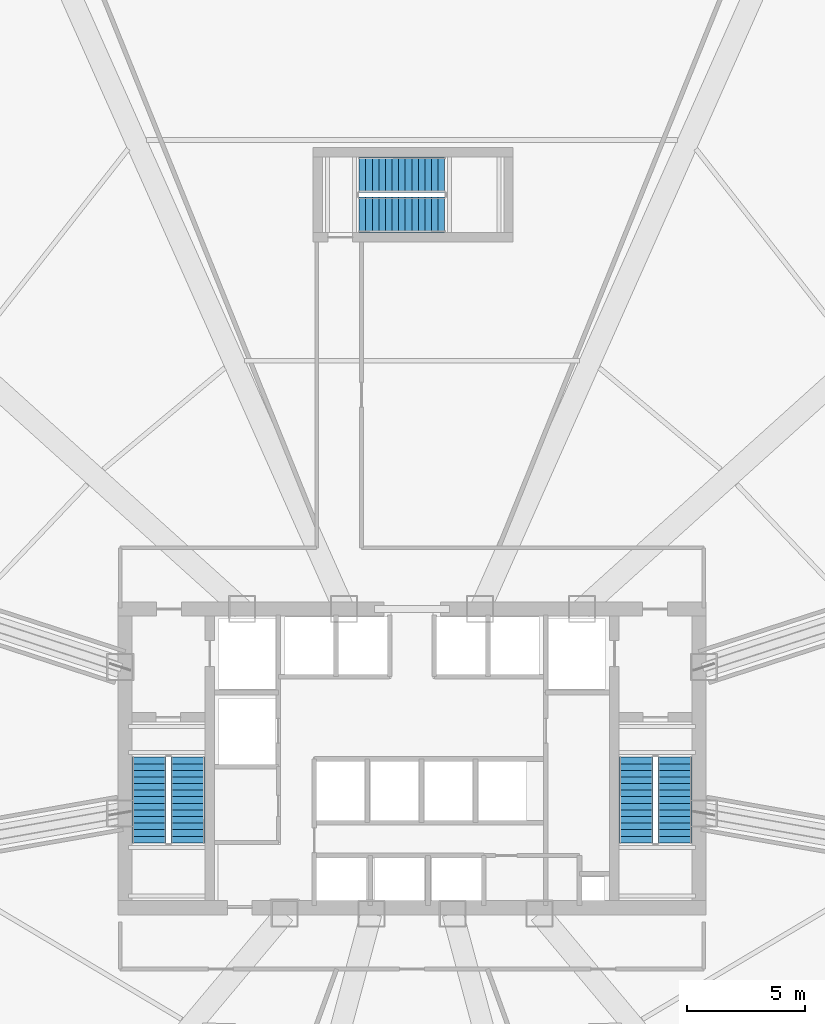
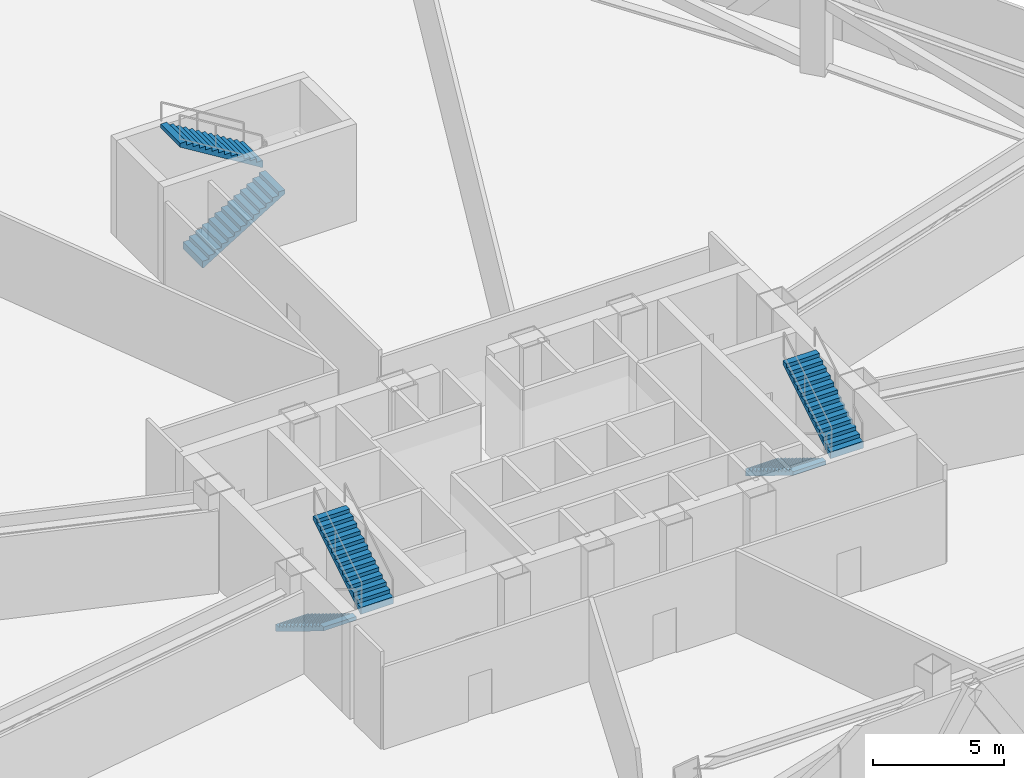
# One storey, part 11 of 17: 6 stair flights, 3 elements without a shape of their own.
"""IFC4 building model written with IfcOpenShell, lengths in metres."""

from ifc_helpers import new_model, si_unit, direction, frame, origin, place, context, subcontext, project, spatial, polyline, outline, extrude, source, transform, mapped, material, type_object, element, aggregate, save


model = new_model("IFC4")

# Units and contexts
model_context = context("Model", 3, precision=1e-05, world=origin(), true_north=direction((0.0, 1.0)))
body_context = subcontext(model_context, "Body", "Model", "MODEL_VIEW")
ifc_project = project(units=[si_unit("LENGTHUNIT", "METRE"), si_unit("AREAUNIT", "SQUARE_METRE"), si_unit("VOLUMEUNIT", "CUBIC_METRE"), si_unit("PLANEANGLEUNIT", "RADIAN"), si_unit("MASSUNIT", "GRAM", prefix="KILO"), si_unit("THERMODYNAMICTEMPERATUREUNIT", "KELVIN"), si_unit("POWERUNIT", "WATT")], contexts=[model_context])

# Site, building, storey
site_placement = place(None, origin())
site = spatial("IfcSite", under=ifc_project, at=site_placement, CompositionType="ELEMENT")
building_placement = place(site_placement, origin())
building = spatial("IfcBuilding", under=site, at=building_placement, Name="Yunzhuo Pagoda Commons", CompositionType="ELEMENT")
storey_placement = place(building_placement, frame((0.0, 0.0, 76.3798828125)))
storey = spatial("IfcBuildingStorey", under=building, at=storey_placement, Name="L19", CompositionType="ELEMENT", Elevation=76.3798828125)

# Stair, stair flights
ifc_material = material(Name="Concrete C40", Category="concrete")
stair_type_1 = type_object("IfcStairType", Name="ST-C1 Core Smokeproof Stair ST1", PredefinedType="HALF_TURN_STAIR", material=ifc_material)
stair_1_placement = place(storey_placement, origin())
stair_1 = element("IfcStair", 1, at=stair_1_placement, inside=storey, type_object=stair_type_1, Name="L19 Core smokeproof stair ST1", PredefinedType="HALF_TURN_STAIR")
stair_flight_type_1 = type_object("IfcStairFlightType", Name="STF-C1 Core Stair Flight 1450", PredefinedType="STRAIGHT", material=ifc_material)
shared_shape_1 = source(origin(), body_context, "Body", "SweptSolid", [
    extrude(outline(polyline([(0.0, -0.14990234375), (0.0, 0.0), (0.0, 0.17138671875), (0.280029296875, 0.17138671875), (0.280029296875, 0.3427734375), (0.56005859375, 0.3427734375), (0.56005859375, 0.514404296875), (0.840087890625, 0.514404296875), (0.840087890625, 0.685791015625), (1.1201171875, 0.685791015625), (1.1201171875, 0.857177734375), (1.39990234375, 0.857177734375), (1.39990234375, 1.028564453125), (1.679931640625, 1.028564453125), (1.679931640625, 1.199951171875), (1.9599609375, 1.199951171875), (1.9599609375, 1.371337890625), (2.239990234375, 1.371337890625), (2.239990234375, 1.54296875), (2.52001953125, 1.54296875), (2.52001953125, 1.71435546875), (2.800048828125, 1.71435546875), (2.800048828125, 1.8857421875), (3.080078125, 1.8857421875), (3.080078125, 2.05712890625), (3.360107421875, 2.05712890625), (3.360107421875, 2.228515625), (3.639892578125, 2.228515625), (3.639892578125, 2.39990234375), (3.639892578125, 2.052734375), (0.287109375, 0.0), (0.050048828125, -0.14990234375), (0.0, -0.14990234375)])), frame((0.0, 0.72509765625, 0.0), z_axis=(0.0, -1.0, 0.0), x_axis=(1.0, 0.0, 0.0)), (0.0, 0.0, 1.0), 1.449951171875),
])
stair_flight_1_placement = place(storey_placement, frame((36.824951171875, 33.89990234375, 0.0), z_axis=(0.0, 0.0, 1.0), x_axis=(0.0, -1.0, 0.0)))
stair_flight_1 = element("IfcStairFlight", 2, at=stair_flight_1_placement, type_object=stair_flight_type_1, Name="ST1 flight 1", NumberOfRisers=14, NumberOfTreads=13, PredefinedType="STRAIGHT", RiserHeight=0.171428571, TreadLength=0.28, context=body_context, shape_type="MappedRepresentation", body=[
    mapped(shared_shape_1, transform((0.0, 0.0, 0.0), scale=1.0)),
])
stair_flight_2_placement = place(storey_placement, frame((38.47509765625, 30.260009765625, 2.400146484375), z_axis=(0.0, 0.0, 1.0), x_axis=(0.0, 1.0, 0.0)))
stair_flight_2 = element("IfcStairFlight", 3, at=stair_flight_2_placement, type_object=stair_flight_type_1, Name="ST1 flight 2", NumberOfRisers=14, NumberOfTreads=13, PredefinedType="STRAIGHT", RiserHeight=0.171428571, TreadLength=0.28, context=body_context, shape_type="MappedRepresentation", body=[
    mapped(shared_shape_1, transform((0.0, 0.0, 0.0), scale=1.0)),
])
aggregate(stair_1, [stair_flight_1, stair_flight_2])

stair_type_2 = type_object("IfcStairType", Name="ST-C2 Core Smokeproof Stair ST2", PredefinedType="HALF_TURN_STAIR", material=ifc_material)
stair_2_placement = place(storey_placement, origin())
stair_2 = element("IfcStair", 4, at=stair_2_placement, inside=storey, type_object=stair_type_2, Name="L19 Core smokeproof stair ST2", PredefinedType="HALF_TURN_STAIR")
stair_flight_type_2 = type_object("IfcStairFlightType", Name="STF-C2 Core Stair Flight 1460", PredefinedType="STRAIGHT", material=ifc_material)
stair_flight_3_placement = place(storey_placement, frame((57.52490234375, 33.89990234375, 0.0), z_axis=(0.0, 0.0, 1.0), x_axis=(0.0, -1.0, 0.0)))
stair_flight_3 = element("IfcStairFlight", 5, at=stair_flight_3_placement, type_object=stair_flight_type_2, Name="ST2 flight 1", NumberOfRisers=14, NumberOfTreads=13, PredefinedType="STRAIGHT", RiserHeight=0.171428571, TreadLength=0.28, context=body_context, shape_type="MappedRepresentation", body=[
    mapped(shared_shape_1, transform((0.0, 0.0, 0.0), scale=1.0)),
])
stair_flight_4_placement = place(storey_placement, frame((59.175048828125, 30.260009765625, 2.400146484375), z_axis=(0.0, 0.0, 1.0), x_axis=(0.0, 1.0, 0.0)))
stair_flight_4 = element("IfcStairFlight", 6, at=stair_flight_4_placement, type_object=stair_flight_type_2, Name="ST2 flight 2", NumberOfRisers=14, NumberOfTreads=13, PredefinedType="STRAIGHT", RiserHeight=0.171428571, TreadLength=0.28, context=body_context, shape_type="MappedRepresentation", body=[
    mapped(shared_shape_1, transform((0.0, 0.0, 0.0), scale=1.0)),
])
aggregate(stair_2, [stair_flight_3, stair_flight_4])

stair_type_3 = type_object("IfcStairType", Name="ST-C3 North Tower Smokeproof Stair ST3", PredefinedType="HALF_TURN_STAIR", material=ifc_material)
stair_3_placement = place(storey_placement, origin())
stair_3 = element("IfcStair", 7, at=stair_3_placement, inside=storey, type_object=stair_type_3, Name="L19 North tower smokeproof stair ST3", PredefinedType="HALF_TURN_STAIR")
stair_flight_type_3 = type_object("IfcStairFlightType", Name="STF-C3 North Stair Flight 1500", PredefinedType="STRAIGHT", material=ifc_material)
shared_shape_2 = source(origin(), body_context, "Body", "SweptSolid", [
    extrude(outline(polyline([(0.0, -0.14990234375), (0.0, 0.0), (0.0, 0.17138671875), (0.280029296875, 0.17138671875), (0.280029296875, 0.3427734375), (0.56005859375, 0.3427734375), (0.56005859375, 0.514404296875), (0.840087890625, 0.514404296875), (0.840087890625, 0.685791015625), (1.1201171875, 0.685791015625), (1.1201171875, 0.857177734375), (1.39990234375, 0.857177734375), (1.39990234375, 1.028564453125), (1.679931640625, 1.028564453125), (1.679931640625, 1.199951171875), (1.9599609375, 1.199951171875), (1.9599609375, 1.371337890625), (2.239990234375, 1.371337890625), (2.239990234375, 1.54296875), (2.52001953125, 1.54296875), (2.52001953125, 1.71435546875), (2.800048828125, 1.71435546875), (2.800048828125, 1.8857421875), (3.080078125, 1.8857421875), (3.080078125, 2.05712890625), (3.360107421875, 2.05712890625), (3.360107421875, 2.228515625), (3.639892578125, 2.228515625), (3.639892578125, 2.39990234375), (3.639892578125, 2.052734375), (0.287109375, 0.0), (0.050048828125, -0.14990234375), (0.0, -0.14990234375)])), frame((0.0, 0.75, 0.0), z_axis=(0.0, -1.0, 0.0), x_axis=(1.0, 0.0, 0.0)), (0.0, 0.0, 1.0), 1.5),
])
stair_flight_5_placement = place(storey_placement, frame((45.75, 56.949951171875, 0.0), z_axis=(0.0, 0.0, 1.0), x_axis=(1.0, 0.0, 0.0)))
stair_flight_5 = element("IfcStairFlight", 8, at=stair_flight_5_placement, type_object=stair_flight_type_3, Name="ST3 flight 1", NumberOfRisers=14, NumberOfTreads=13, PredefinedType="STRAIGHT", RiserHeight=0.171428571, TreadLength=0.28, context=body_context, shape_type="MappedRepresentation", body=[
    mapped(shared_shape_2, transform((0.0, 0.0, 0.0), scale=1.0)),
])
stair_flight_6_placement = place(storey_placement, frame((49.389892578125, 58.64990234375, 2.400146484375), z_axis=(0.0, 0.0, 1.0), x_axis=(-1.0, 0.0, 0.0)))
stair_flight_6 = element("IfcStairFlight", 9, at=stair_flight_6_placement, type_object=stair_flight_type_3, Name="ST3 flight 2", NumberOfRisers=14, NumberOfTreads=13, PredefinedType="STRAIGHT", RiserHeight=0.171428571, TreadLength=0.28, context=body_context, shape_type="MappedRepresentation", body=[
    mapped(shared_shape_2, transform((0.0, 0.0, 0.0), scale=1.0)),
])
aggregate(stair_3, [stair_flight_5, stair_flight_6])

save(model, "model.ifc")
